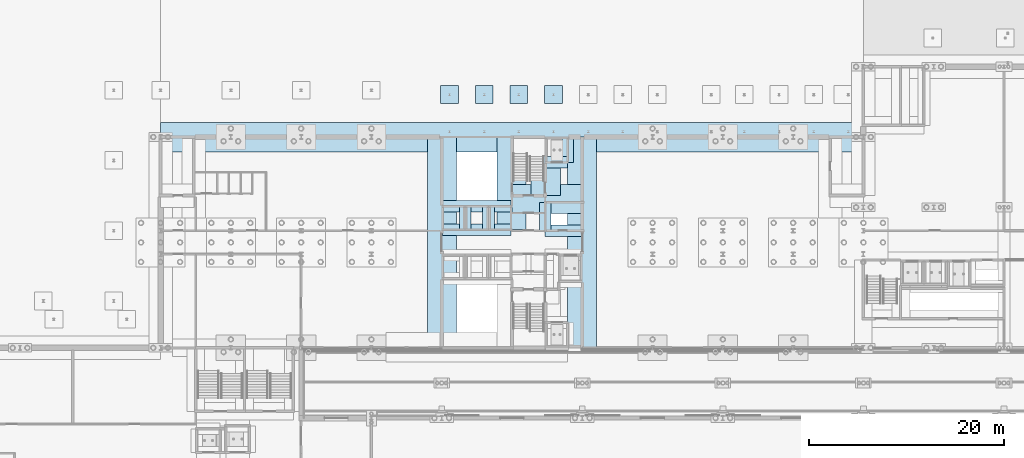
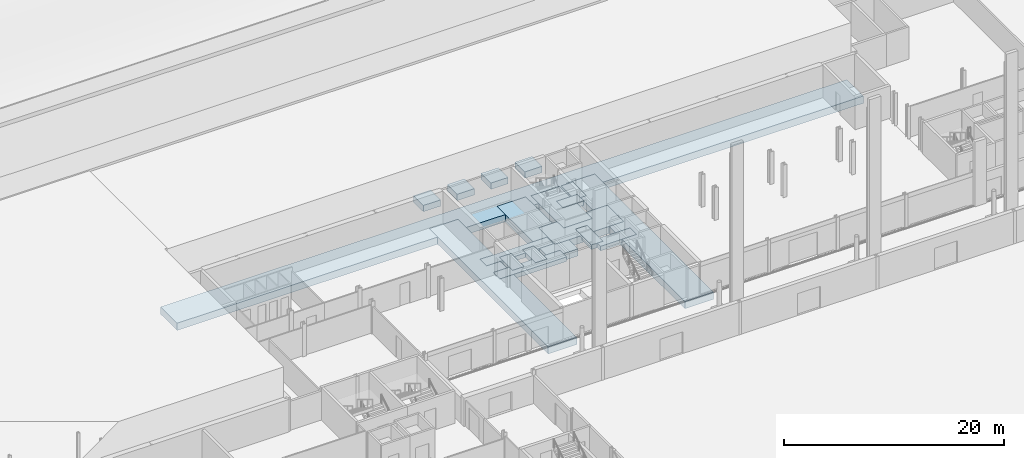
# One storey, part 26 of 148: 18 footings.
"""IFC4 building model written with IfcOpenShell, lengths in metres."""

from ifc_helpers import new_model, si_unit, direction, frame, origin, origin_2d, place, context, subcontext, project, spatial, rectangle, extrude, material, layer, layer_set, type_object, element, save


model = new_model("IFC4")

# Units and contexts
model_context = context("Model", 3, precision=1e-05, world=origin(), true_north=direction((0.0, 1.0)))
body_context = subcontext(model_context, "Body", "Model", "MODEL_VIEW")
ifc_project = project(units=[si_unit("LENGTHUNIT", "METRE"), si_unit("AREAUNIT", "SQUARE_METRE"), si_unit("VOLUMEUNIT", "CUBIC_METRE"), si_unit("PLANEANGLEUNIT", "RADIAN"), si_unit("MASSUNIT", "GRAM", prefix="KILO")], contexts=[model_context])

# Site, building, storey
site_placement = place(None, origin())
site = spatial("IfcSite", under=ifc_project, at=site_placement, CompositionType="ELEMENT")
building_placement = place(site_placement, origin())
building = spatial("IfcBuilding", under=site, at=building_placement, Name="Kupolbacken Congress Centre", CompositionType="ELEMENT")
storey_placement = place(building_placement, origin())
storey = spatial("IfcBuildingStorey", under=building, at=storey_placement, Name="L00", CompositionType="ELEMENT", Elevation=0.0)

# Footings
ifc_material_1 = material(Name="Concrete C30/37", Category="concrete")
ifc_layer_1 = layer(ifc_material_1, 0.699951171875)
ifc_layer_set_1 = layer_set([ifc_layer_1], Name="Concrete C30/37")
footing_type_1 = type_object("IfcFootingType", Name="PD4 pad footing 1.80 x 1.80 x 0.70 m", PredefinedType="PAD_FOOTING", material=ifc_layer_set_1)
for number, where, z_axis, x_axis, name in (
    (1, (94.39990234375, 148.35009765625, -1.0), (0.0, 0.0, 1.0), (1.0, 0.0, 0.0), "C/passage/A/padN00"),
    (2, (97.949951171875, 148.35009765625, -1.0), (0.0, 0.0, 1.0), (1.0, 0.0, 0.0), "C/passage/A/padN01"),
    (3, (101.5, 148.35009765625, -1.0), (0.0, 0.0, 1.0), (1.0, 0.0, 0.0), "C/passage/A/padN02"),
    (4, (105.050048828125, 148.35009765625, -1.0), (0.0, 0.0, 1.0), (1.0, 0.0, 0.0), "C/passage/A/padN03"),
):
    element("IfcFooting", number, at=place(storey_placement, frame(where, z_axis=z_axis, x_axis=x_axis)), inside=storey, type_object=footing_type_1, Name=name, PredefinedType="PAD_FOOTING", context=body_context, shape_type="SweptSolid", body=[
        extrude(rectangle(XDim=1.800048828125, YDim=1.800048828125, at=origin_2d()), origin(), (0.0, 0.0, 1.0), 0.699951171875),
    ])
ifc_material_2 = material(Name="Concrete C30/37", Category="concrete")
ifc_layer_2 = layer(ifc_material_2, 0.5)
ifc_layer_set_2 = layer_set([ifc_layer_2], Name="Concrete C30/37")
footing_type_2 = type_object("IfcFootingType", Name="SF1 strip footing 1.20 x 0.50 m", PredefinedType="STRIP_FOOTING", material=ifc_layer_set_2)
footing_1_placement = place(storey_placement, frame((106.10009765625, 134.39990234375, -0.800048828125), z_axis=(0.0, 0.0, 1.0), x_axis=(1.0, 0.0, 0.0)))
element("IfcFooting", 5, at=footing_1_placement, inside=storey, type_object=footing_type_2, Name="S/fnd/core/112", PredefinedType="STRIP_FOOTING", context=body_context, shape_type="SweptSolid", body=[
    extrude(rectangle(XDim=3.800048828125, YDim=1.199951171875, at=origin_2d()), origin(), (0.0, 0.0, 1.0), 0.5),
])
footing_2_placement = place(storey_placement, frame((104.199951171875, 135.85009765625, -0.800048828125), z_axis=(0.0, 0.0, 1.0), x_axis=(0.0, 1.0, 0.0)))
element("IfcFooting", 6, at=footing_2_placement, inside=storey, type_object=footing_type_2, Name="S/fnd/core/115", PredefinedType="STRIP_FOOTING", context=body_context, shape_type="SweptSolid", body=[
    extrude(rectangle(XDim=2.89990234375, YDim=1.199951171875, at=origin_2d()), origin(), (0.0, 0.0, 1.0), 0.5),
])
footing_3_placement = place(storey_placement, frame((97.199951171875, 134.5, -0.800048828125), z_axis=(0.0, 0.0, 1.0), x_axis=(1.0, 0.0, 0.0)))
element("IfcFooting", 7, at=footing_3_placement, inside=storey, type_object=footing_type_2, Name="S/fnd/lift/061", PredefinedType="STRIP_FOOTING", context=body_context, shape_type="SweptSolid", body=[
    extrude(rectangle(XDim=7.0, YDim=1.199951171875, at=origin_2d()), origin(), (0.0, 0.0, 1.0), 0.5),
])
footing_4_placement = place(storey_placement, frame((96.0, 135.699951171875, -0.800048828125), z_axis=(0.0, 0.0, 1.0), x_axis=(0.0, 1.0, 0.0)))
element("IfcFooting", 8, at=footing_4_placement, inside=storey, type_object=footing_type_2, Name="S/fnd/lift/062", PredefinedType="STRIP_FOOTING", context=body_context, shape_type="SweptSolid", body=[
    extrude(rectangle(XDim=2.39990234375, YDim=1.199951171875, at=origin_2d()), origin(), (0.0, 0.0, 1.0), 0.5),
])
footing_5_placement = place(storey_placement, frame((97.199951171875, 136.89990234375, -0.800048828125), z_axis=(0.0, 0.0, 1.0), x_axis=(1.0, 0.0, 0.0)))
element("IfcFooting", 9, at=footing_5_placement, inside=storey, type_object=footing_type_2, Name="S/fnd/lift/063", PredefinedType="STRIP_FOOTING", context=body_context, shape_type="SweptSolid", body=[
    extrude(rectangle(XDim=7.0, YDim=1.199951171875, at=origin_2d()), origin(), (0.0, 0.0, 1.0), 0.5),
])
footing_6_placement = place(storey_placement, frame((98.39990234375, 135.699951171875, -0.800048828125), z_axis=(0.0, 0.0, 1.0), x_axis=(0.0, 1.0, 0.0)))
element("IfcFooting", 10, at=footing_6_placement, inside=storey, type_object=footing_type_2, Name="S/fnd/lift/066", PredefinedType="STRIP_FOOTING", context=body_context, shape_type="SweptSolid", body=[
    extrude(rectangle(XDim=2.39990234375, YDim=1.199951171875, at=origin_2d()), origin(), (0.0, 0.0, 1.0), 0.5),
])
footing_7_placement = place(storey_placement, frame((105.39990234375, 141.39990234375, -0.800048828125), z_axis=(0.0, 0.0, 1.0), x_axis=(1.0, 0.0, 0.0)))
element("IfcFooting", 11, at=footing_7_placement, inside=storey, type_object=footing_type_2, Name="S/fnd/lift/077", PredefinedType="STRIP_FOOTING", context=body_context, shape_type="SweptSolid", body=[
    extrude(rectangle(XDim=2.199951171875, YDim=1.199951171875, at=origin_2d()), origin(), (0.0, 0.0, 1.0), 0.5),
])
footing_8_placement = place(storey_placement, frame((106.5, 142.64990234375, -0.800048828125), z_axis=(0.0, 0.0, 1.0), x_axis=(0.0, 1.0, 0.0)))
element("IfcFooting", 12, at=footing_8_placement, inside=storey, type_object=footing_type_2, Name="S/fnd/lift/078", PredefinedType="STRIP_FOOTING", context=body_context, shape_type="SweptSolid", body=[
    extrude(rectangle(XDim=2.5, YDim=1.199951171875, at=origin_2d()), origin(), (0.0, 0.0, 1.0), 0.5),
])
ifc_material_3 = material(Name="Concrete C30/37", Category="concrete")
ifc_layer_3 = layer(ifc_material_3, 0.800048828125)
ifc_layer_set_3 = layer_set([ifc_layer_3], Name="Concrete C30/37")
footing_type_3 = type_object("IfcFootingType", Name="SF4 strip footing 3.00 x 0.80 m", PredefinedType="STRIP_FOOTING", material=ifc_layer_set_3)
footing_9_placement = place(storey_placement, frame((100.800048828125, 143.987548828125, -1.10009765625), z_axis=(0.0, 0.0, 1.0), x_axis=(1.0, 0.0, 0.0)))
element("IfcFooting", 13, at=footing_9_placement, inside=storey, type_object=footing_type_3, Name="S/fnd/buried/BF09", PredefinedType="STRIP_FOOTING", context=body_context, shape_type="SweptSolid", body=[
    extrude(rectangle(XDim=72.0, YDim=3.0, at=origin_2d()), origin(), (0.0, 0.0, 1.0), 0.800048828125),
])
for number, where, z_axis, x_axis, name in (
    (14, (107.97509765625, 133.199951171875, -1.10009765625), (0.0, 0.0, 1.0), (0.0, 1.0, 0.0), "S/fnd/core/080"),
    (15, (93.637451171875, 133.199951171875, -1.10009765625), (0.0, 0.0, 1.0), (0.0, 1.0, 0.0), "S/fnd/core/100"),
):
    element("IfcFooting", number, at=place(storey_placement, frame(where, z_axis=z_axis, x_axis=x_axis)), inside=storey, type_object=footing_type_3, Name=name, PredefinedType="STRIP_FOOTING", context=body_context, shape_type="SweptSolid", body=[
        extrude(rectangle(XDim=21.60009765625, YDim=3.0, at=origin_2d()), origin(), (0.0, 0.0, 1.0), 0.800048828125),
    ])
footing_10_placement = place(storey_placement, frame((100.75, 139.25, -1.10009765625), z_axis=(0.0, 0.0, 1.0), x_axis=(0.0, 1.0, 0.0)))
element("IfcFooting", 16, at=footing_10_placement, inside=storey, type_object=footing_type_3, Name="S/fnd/core/114", PredefinedType="STRIP_FOOTING", context=body_context, shape_type="SweptSolid", body=[
    extrude(rectangle(XDim=9.5, YDim=3.0, at=origin_2d()), origin(), (0.0, 0.0, 1.0), 0.800048828125),
])
footing_11_placement = place(storey_placement, frame((104.39990234375, 137.64990234375, -1.10009765625), z_axis=(0.0, 0.0, 1.0), x_axis=(1.0, 0.0, 0.0)))
element("IfcFooting", 17, at=footing_11_placement, inside=storey, type_object=footing_type_3, Name="S/fnd/core/116", PredefinedType="STRIP_FOOTING", context=body_context, shape_type="SweptSolid", body=[
    extrude(rectangle(XDim=7.199951171875, YDim=3.0, at=origin_2d()), origin(), (0.0, 0.0, 1.0), 0.800048828125),
])
footing_12_placement = place(storey_placement, frame((104.25, 140.949951171875, -1.10009765625), z_axis=(0.0, 0.0, 1.0), x_axis=(0.0, 1.0, 0.0)))
element("IfcFooting", 18, at=footing_12_placement, inside=storey, type_object=footing_type_3, Name="S/fnd/core/121", PredefinedType="STRIP_FOOTING", context=body_context, shape_type="SweptSolid", body=[
    extrude(rectangle(XDim=5.89990234375, YDim=3.0, at=origin_2d()), origin(), (0.0, 0.0, 1.0), 0.800048828125),
])

save(model, "model.ifc")
